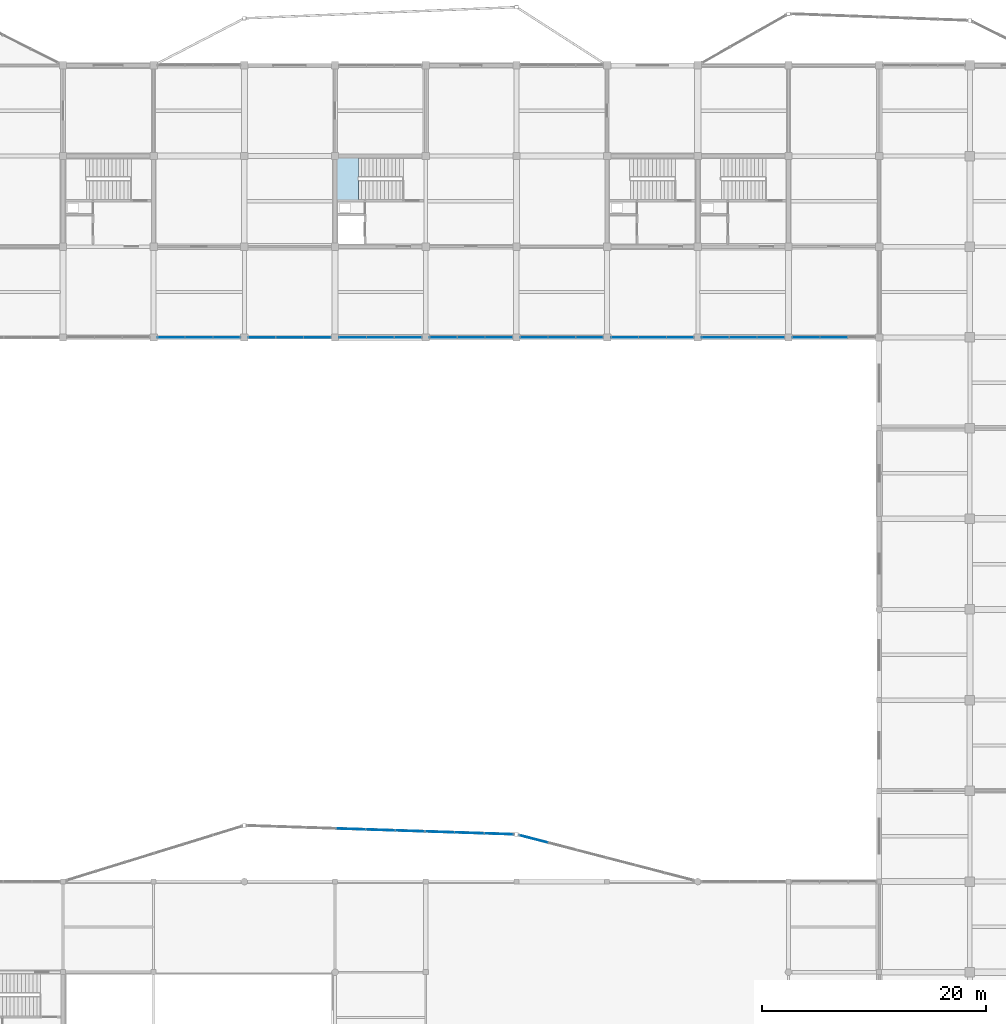
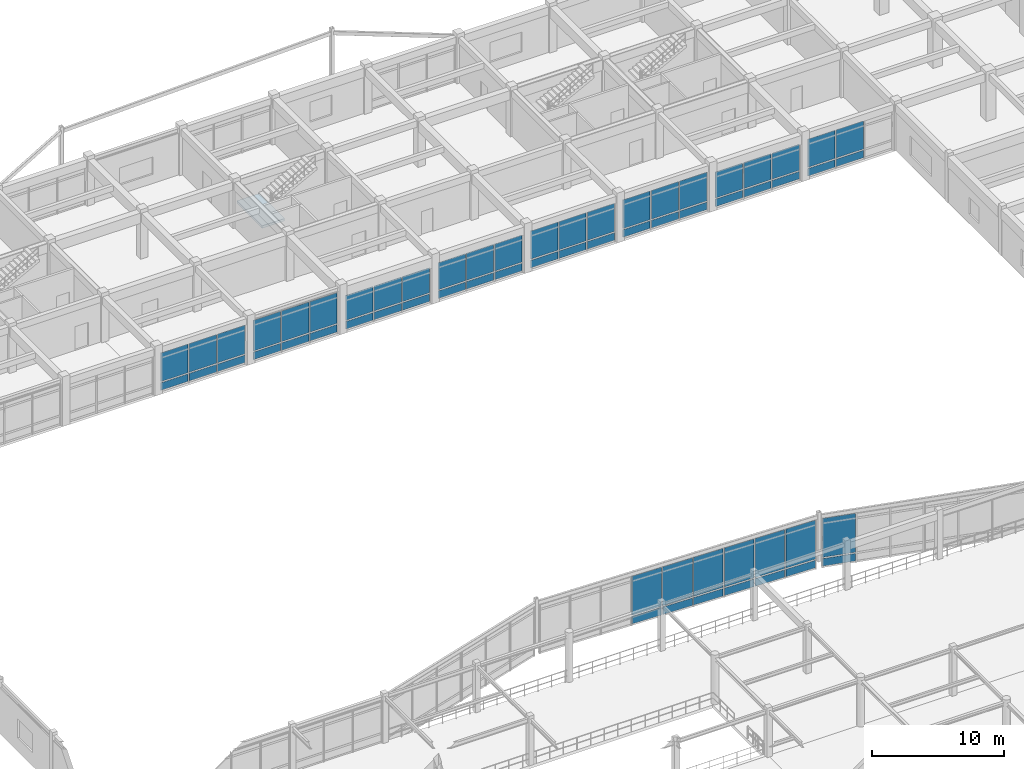
# One storey, part 53 of 93: 60 plates, 1 slab, 12 elements without a shape of their own.
"""IFC4 building model written with IfcOpenShell, lengths in metres."""

import ifcopenshell
import ifcopenshell.guid

model = None  # the IFC model being written
_history = None  # IfcOwnerHistory: only IFC2X3 demands one
_inside = {}  # id of a spatial element -> (the spatial element, [elements in it])
_under = {}  # id of a project, library or spatial element -> (it, [spatial elements below it])
_declared = {}  # id of a project -> (the project, [libraries it declares])
_typed = {}  # id of a type object -> (the type object, [elements of that type])
_made_of = {}  # id of a material, layer set ... -> (it, [elements and type objects made of it])


def new_model(schema):
    """Start an empty IFC model of exactly this schema.

    Asked for "IFC4X3", IfcOpenShell would pick the latest addendum, in which some entities
    have other attributes; the version numbers below select the first issue.
    IFC2X3 requires an IfcOwnerHistory on every rooted entity: one is made here for all.
    """
    global model, _history
    if schema == "IFC4X3":
        model = ifcopenshell.file(schema_version=(4, 3, 0, 0))
    else:
        model = ifcopenshell.file(schema=schema)
    _inside.clear()
    _under.clear()
    _declared.clear()
    _typed.clear()
    _made_of.clear()
    _history = None
    if model.schema == "IFC2X3":
        org = make("IfcOrganization", Name="unknown")
        user = make(
            "IfcPersonAndOrganization",
            ThePerson=make("IfcPerson", FamilyName="unknown"),
            TheOrganization=org,
        )
        app = make(
            "IfcApplication",
            ApplicationDeveloper=org,
            Version="unknown",
            ApplicationFullName="unknown",
            ApplicationIdentifier="unknown",
        )
        _history = make(
            "IfcOwnerHistory",
            OwningUser=user,
            OwningApplication=app,
            ChangeAction="ADDED",
            CreationDate=0,
        )
    return model


def make(cls, **values):
    """One entity of the class cls with the attributes given. An attribute that is None is left unset."""
    return model.create_entity(
        cls, **{name: value for name, value in values.items() if value is not None}
    )


def rooted(cls, **values):
    """An entity with a GlobalId (a new one), such as an element, a storey or a relation."""
    return make(cls, GlobalId=ifcopenshell.guid.new(), OwnerHistory=_history, **values)


def si_unit(unit_type, name, prefix=None):
    """IfcSIUnit, for example si_unit("LENGTHUNIT", "METRE", prefix="MILLI")."""
    return make("IfcSIUnit", UnitType=unit_type, Prefix=prefix, Name=name)


def assignment(units):
    """IfcUnitAssignment: the units of a project."""
    return None if units is None else make("IfcUnitAssignment", Units=units)


def point(xyz):
    """IfcCartesianPoint."""
    return None if xyz is None else make("IfcCartesianPoint", Coordinates=xyz)


def direction(xyz):
    """IfcDirection."""
    return None if xyz is None else make("IfcDirection", DirectionRatios=xyz)


def frame(location, z_axis=None, x_axis=None):
    """IfcAxis2Placement3D, a coordinate frame: its origin and axes. An axis left out is left unset."""
    return make(
        "IfcAxis2Placement3D",
        Location=point(location),
        Axis=direction(z_axis),
        RefDirection=direction(x_axis),
    )


def frame_2d(location, x_axis=None):
    """IfcAxis2Placement2D, a coordinate frame in the plane: its origin and x axis."""
    return make(
        "IfcAxis2Placement2D", Location=point(location), RefDirection=direction(x_axis)
    )


def origin():
    """The frame at (0, 0, 0) with its axes left unset."""
    return frame((0.0, 0.0, 0.0))


def origin_2d():
    """The frame at (0, 0) in the plane with its x axis left unset."""
    return frame_2d((0.0, 0.0))


def place(relative_to, where):
    """IfcLocalPlacement: puts the frame where relative to a parent placement (None: the world)."""
    return make(
        "IfcLocalPlacement", PlacementRelTo=relative_to, RelativePlacement=where
    )


def context(
    kind, dimensions, precision=None, world=None, true_north=None, identifier=None
):
    """IfcGeometricRepresentationContext, for example the 3D "Model" context."""
    return make(
        "IfcGeometricRepresentationContext",
        ContextIdentifier=identifier,
        ContextType=kind,
        CoordinateSpaceDimension=dimensions,
        Precision=precision,
        WorldCoordinateSystem=world,
        TrueNorth=true_north,
    )


def subcontext(parent, identifier, kind, view, scale=None):
    """IfcGeometricRepresentationSubContext, for example "Body" below "Model"."""
    return make(
        "IfcGeometricRepresentationSubContext",
        ContextIdentifier=identifier,
        ContextType=kind,
        ParentContext=parent,
        TargetScale=scale,
        TargetView=view,
    )


def project(units=None, contexts=None):
    """IfcProject with its units and contexts."""
    return rooted(
        "IfcProject",
        Name="project",
        RepresentationContexts=contexts,
        UnitsInContext=assignment(units),
    )


def spatial(cls, under=None, at=None, **own):
    """A site, building, storey or space (cls), placed at a placement, below another one or the project."""
    s = rooted(cls, ObjectPlacement=at, **own)
    if under is not None:
        _under.setdefault(under.id(), (under, []))[1].append(s)
    return s


def polyline(points):
    """IfcPolyline through the points."""
    return make("IfcPolyline", Points=[point(p) for p in points])


def profile(cls, at=None, kind="AREA", **sizes):
    """A parametric profile (cls). Its sizes go by their IFC names, for example OverallWidth=200.0."""
    return make(cls, ProfileType=kind, Position=at, **sizes)


def rectangle(**sizes):
    """IfcRectangleProfileDef."""
    return profile("IfcRectangleProfileDef", **sizes)


def outline(outer, holes=None, kind="AREA"):
    """IfcArbitraryClosedProfileDef: a profile drawn as a closed curve; with holes, ...WithVoids."""
    if holes is None:
        return make("IfcArbitraryClosedProfileDef", ProfileType=kind, OuterCurve=outer)
    return make(
        "IfcArbitraryProfileDefWithVoids",
        ProfileType=kind,
        OuterCurve=outer,
        InnerCurves=holes,
    )


def extrude(swept, where, along, depth):
    """IfcExtrudedAreaSolid: the profile swept, set in the frame where, extruded along a direction by depth."""
    return make(
        "IfcExtrudedAreaSolid",
        SweptArea=swept,
        Position=where,
        ExtrudedDirection=direction(along),
        Depth=depth,
    )


def shape(context_of_items, identifier, shape_type, items):
    """IfcShapeRepresentation: the items that make up one representation, for example the "Body"."""
    return make(
        "IfcShapeRepresentation",
        ContextOfItems=context_of_items,
        RepresentationIdentifier=identifier,
        RepresentationType=shape_type,
        Items=items,
    )


def material(Name=None, Category=None):
    """IfcMaterial."""
    return make("IfcMaterial", Name=Name, Category=Category)


def layer(
    of_material, thickness, ventilated=None, Name=None, Category=None, Priority=None
):
    """IfcMaterialLayer: one layer of a wall or slab, of a material (None: an air gap)."""
    return make(
        "IfcMaterialLayer",
        Material=of_material,
        LayerThickness=thickness,
        IsVentilated=ventilated,
        Name=Name,
        Category=Category,
        Priority=Priority,
    )


def layer_set(layers, Name=None):
    """IfcMaterialLayerSet."""
    return make("IfcMaterialLayerSet", MaterialLayers=layers, LayerSetName=Name)


def made_of(thing, what):
    """Note that an element or type object is made of a material, layer set ...; save() writes the relation."""
    if what is not None:
        _made_of.setdefault(what.id(), (what, []))[1].append(thing)
    return thing


def type_object(cls, material=None, **own):
    """A type object (cls), such as IfcWallType, which elements share."""
    return made_of(rooted(cls, **own), material)


def element(
    cls,
    number,
    at=None,
    inside=None,
    cuts=None,
    type_object=None,
    material=None,
    context=None,
    identifier="Body",
    shape_type=None,
    held_by="IfcProductDefinitionShape",
    body=None,
    shapes=None,
    **own,
):
    """One element of the class cls, such as IfcWall. Its Tag is "e" and its number.

    at: its placement. inside: the storey or other place that contains it. cuts: it is an
    opening in that element (IfcRelVoidsElement). A single representation is given by context,
    identifier, shape_type and body (its items); several are given by shapes. held_by: the class
    of the entity that holds the representations. save() writes the other relations.
    """
    e = rooted(cls, Tag="e%d" % number, ObjectPlacement=at, **own)
    if body is not None:
        shapes = [shape(context, identifier, shape_type, body)]
    if shapes is not None:
        e.Representation = make(held_by, Representations=shapes)
    if inside is not None:
        _inside.setdefault(inside.id(), (inside, []))[1].append(e)
    if cuts is not None:
        rooted(
            "IfcRelVoidsElement", RelatingBuildingElement=cuts, RelatedOpeningElement=e
        )
    if type_object is not None:
        _typed.setdefault(type_object.id(), (type_object, []))[1].append(e)
    return made_of(e, material)


def aggregate(whole, parts):
    """IfcRelAggregates: a whole, such as a stair, and the parts it consists of."""
    return rooted("IfcRelAggregates", RelatingObject=whole, RelatedObjects=parts)


def save(model, path):
    """Write the relations noted so far, then the file.

    IfcRelAggregates (storeys below a building ...), IfcRelContainedInSpatialStructure (elements
    in a storey), IfcRelDefinesByType, IfcRelAssociatesMaterial and IfcRelDeclares: one each for
    every whole, place, type object, material and project.
    """
    for whole, parts in _under.values():
        aggregate(whole, parts)
    for where, things in _inside.values():
        rooted(
            "IfcRelContainedInSpatialStructure",
            RelatedElements=things,
            RelatingStructure=where,
        )
    for kind, things in _typed.values():
        rooted("IfcRelDefinesByType", RelatedObjects=things, RelatingType=kind)
    for what, things in _made_of.values():
        rooted("IfcRelAssociatesMaterial", RelatedObjects=things, RelatingMaterial=what)
    for by, libraries in _declared.values():
        rooted("IfcRelDeclares", RelatingContext=by, RelatedDefinitions=libraries)
    model.write(path)


model = new_model("IFC4")

# Units and contexts
model_context = context("Model", 3, precision=1e-05, world=origin(), true_north=direction((0.0, 1.0)))
body_context = subcontext(model_context, "Body", "Model", "MODEL_VIEW")
ifc_project = project(units=[si_unit("LENGTHUNIT", "METRE"), si_unit("AREAUNIT", "SQUARE_METRE"), si_unit("VOLUMEUNIT", "CUBIC_METRE"), si_unit("PLANEANGLEUNIT", "RADIAN"), si_unit("MASSUNIT", "GRAM", prefix="KILO")], contexts=[model_context])

# Site, building, storey
site_placement = place(None, origin())
site = spatial("IfcSite", under=ifc_project, at=site_placement, CompositionType="ELEMENT")
building_placement = place(site_placement, origin())
building = spatial("IfcBuilding", under=site, at=building_placement, Name="Vaudrelin Polytechnic", CompositionType="ELEMENT")
storey_placement = place(building_placement, frame((0.0, 0.0, 5.10009765625)))
storey = spatial("IfcBuildingStorey", under=building, at=storey_placement, Name="L01", CompositionType="ELEMENT", Elevation=5.10009765625)

# Curtain wall, plates
ifc_material_1 = material(Name="Thermally broken anodised aluminium AA 6063-T6 and low-e triple glazing", Category="aluminium")
ifc_layer_1 = layer(ifc_material_1, 0.199951171875)
ifc_layer_set_1 = layer_set([ifc_layer_1], Name="Thermally broken anodised aluminium AA 6063-T6 and low-e triple glazing")
curtain_wall_type_1 = type_object("IfcCurtainWallType", Name="CW-CW-LIB", PredefinedType="USERDEFINED", material=ifc_layer_set_1)
curtain_wall_1_placement = place(storey_placement, origin())
curtain_wall_1 = element("IfcCurtainWall", 1, at=curtain_wall_1_placement, inside=storey, type_object=curtain_wall_type_1, Name="Curtain wall L01 CT_N_04", ObjectType="CURTAIN WALL", PredefinedType="USERDEFINED")
ifc_material_2 = material(Name="Insulated ceramic-frit spandrel glass panel", Category="glass")
ifc_layer_2 = layer(ifc_material_2, 0.052001953125)
ifc_layer_set_2 = layer_set([ifc_layer_2], Name="Insulated ceramic-frit spandrel glass panel")
plate_type_1 = type_object("IfcPlateType", Name="PLT-GLZ-SPAND", PredefinedType="CURTAIN_PANEL", material=ifc_layer_set_2)
plate_1_placement = place(storey_placement, frame((66.365234375, 97.199951171875, 0.08984375), z_axis=(0.0, 0.0, 1.0), x_axis=(1.0, 0.0, 0.0)))
plate_1 = element("IfcPlate", 2, at=plate_1_placement, type_object=plate_type_1, Name="CT_N_04 spandrel panel 1", PredefinedType="CURTAIN_PANEL", context=body_context, shape_type="SweptSolid", body=[
    extrude(rectangle(XDim=2.384765625, YDim=0.052001953125, at=origin_2d()), origin(), (0.0, 0.0, 1.0), 0.699951171875),
])
plate_2_placement = place(storey_placement, frame((68.85009765625, 97.199951171875, 0.08984375), z_axis=(0.0, 0.0, 1.0), x_axis=(1.0, 0.0, 0.0)))
plate_2 = element("IfcPlate", 3, at=plate_2_placement, type_object=plate_type_1, Name="CT_N_04 spandrel panel 2", PredefinedType="CURTAIN_PANEL", context=body_context, shape_type="SweptSolid", body=[
    extrude(rectangle(XDim=2.384765625, YDim=0.052001953125, at=origin_2d()), origin(), (0.0, 0.0, 1.0), 0.699951171875),
])
plate_3_placement = place(storey_placement, frame((71.334716796875, 97.199951171875, 0.08984375), z_axis=(0.0, 0.0, 1.0), x_axis=(1.0, 0.0, 0.0)))
plate_3 = element("IfcPlate", 4, at=plate_3_placement, type_object=plate_type_1, Name="CT_N_04 spandrel panel 3", PredefinedType="CURTAIN_PANEL", context=body_context, shape_type="SweptSolid", body=[
    extrude(rectangle(XDim=2.384765625, YDim=0.052001953125, at=origin_2d()), origin(), (0.0, 0.0, 1.0), 0.699951171875),
])

curtain_wall_2_placement = place(storey_placement, origin())
curtain_wall_2 = element("IfcCurtainWall", 5, at=curtain_wall_2_placement, inside=storey, type_object=curtain_wall_type_1, Name="Curtain wall L01 CT_N_05", ObjectType="CURTAIN WALL", PredefinedType="USERDEFINED")
plate_4_placement = place(storey_placement, frame((74.46533203125, 97.199951171875, 0.08984375), z_axis=(0.0, 0.0, 1.0), x_axis=(1.0, 0.0, 0.0)))
plate_4 = element("IfcPlate", 6, at=plate_4_placement, type_object=plate_type_1, Name="CT_N_05 spandrel panel 1", PredefinedType="CURTAIN_PANEL", context=body_context, shape_type="SweptSolid", body=[
    extrude(rectangle(XDim=2.384765625, YDim=0.052001953125, at=origin_2d()), origin(), (0.0, 0.0, 1.0), 0.699951171875),
])
plate_5_placement = place(storey_placement, frame((76.949951171875, 97.199951171875, 0.08984375), z_axis=(0.0, 0.0, 1.0), x_axis=(1.0, 0.0, 0.0)))
plate_5 = element("IfcPlate", 7, at=plate_5_placement, type_object=plate_type_1, Name="CT_N_05 spandrel panel 2", PredefinedType="CURTAIN_PANEL", context=body_context, shape_type="SweptSolid", body=[
    extrude(rectangle(XDim=2.384765625, YDim=0.052001953125, at=origin_2d()), origin(), (0.0, 0.0, 1.0), 0.699951171875),
])
plate_6_placement = place(storey_placement, frame((79.434814453125, 97.199951171875, 0.08984375), z_axis=(0.0, 0.0, 1.0), x_axis=(1.0, 0.0, 0.0)))
plate_6 = element("IfcPlate", 8, at=plate_6_placement, type_object=plate_type_1, Name="CT_N_05 spandrel panel 3", PredefinedType="CURTAIN_PANEL", context=body_context, shape_type="SweptSolid", body=[
    extrude(rectangle(XDim=2.384765625, YDim=0.052001953125, at=origin_2d()), origin(), (0.0, 0.0, 1.0), 0.699951171875),
])

curtain_wall_3_placement = place(storey_placement, origin())
curtain_wall_3 = element("IfcCurtainWall", 9, at=curtain_wall_3_placement, inside=storey, type_object=curtain_wall_type_1, Name="Curtain wall L01 CT_N_06", ObjectType="CURTAIN WALL", PredefinedType="USERDEFINED")
plate_7_placement = place(storey_placement, frame((82.565185546875, 97.199951171875, 0.08984375), z_axis=(0.0, 0.0, 1.0), x_axis=(1.0, 0.0, 0.0)))
plate_7 = element("IfcPlate", 10, at=plate_7_placement, type_object=plate_type_1, Name="CT_N_06 spandrel panel 1", PredefinedType="CURTAIN_PANEL", context=body_context, shape_type="SweptSolid", body=[
    extrude(rectangle(XDim=2.384765625, YDim=0.052001953125, at=origin_2d()), origin(), (0.0, 0.0, 1.0), 0.699951171875),
])
plate_8_placement = place(storey_placement, frame((85.050048828125, 97.199951171875, 0.08984375), z_axis=(0.0, 0.0, 1.0), x_axis=(1.0, 0.0, 0.0)))
plate_8 = element("IfcPlate", 11, at=plate_8_placement, type_object=plate_type_1, Name="CT_N_06 spandrel panel 2", PredefinedType="CURTAIN_PANEL", context=body_context, shape_type="SweptSolid", body=[
    extrude(rectangle(XDim=2.384765625, YDim=0.052001953125, at=origin_2d()), origin(), (0.0, 0.0, 1.0), 0.699951171875),
])
plate_9_placement = place(storey_placement, frame((87.53466796875, 97.199951171875, 0.08984375), z_axis=(0.0, 0.0, 1.0), x_axis=(1.0, 0.0, 0.0)))
plate_9 = element("IfcPlate", 12, at=plate_9_placement, type_object=plate_type_1, Name="CT_N_06 spandrel panel 3", PredefinedType="CURTAIN_PANEL", context=body_context, shape_type="SweptSolid", body=[
    extrude(rectangle(XDim=2.384765625, YDim=0.052001953125, at=origin_2d()), origin(), (0.0, 0.0, 1.0), 0.699951171875),
])

curtain_wall_4_placement = place(storey_placement, origin())
curtain_wall_4 = element("IfcCurtainWall", 13, at=curtain_wall_4_placement, inside=storey, type_object=curtain_wall_type_1, Name="Curtain wall L01 CT_N_07", ObjectType="CURTAIN WALL", PredefinedType="USERDEFINED")
plate_10_placement = place(storey_placement, frame((90.665283203125, 97.199951171875, 0.08984375), z_axis=(0.0, 0.0, 1.0), x_axis=(1.0, 0.0, 0.0)))
plate_10 = element("IfcPlate", 14, at=plate_10_placement, type_object=plate_type_1, Name="CT_N_07 spandrel panel 1", PredefinedType="CURTAIN_PANEL", context=body_context, shape_type="SweptSolid", body=[
    extrude(rectangle(XDim=2.384765625, YDim=0.052001953125, at=origin_2d()), origin(), (0.0, 0.0, 1.0), 0.699951171875),
])
plate_11_placement = place(storey_placement, frame((93.14990234375, 97.199951171875, 0.08984375), z_axis=(0.0, 0.0, 1.0), x_axis=(1.0, 0.0, 0.0)))
plate_11 = element("IfcPlate", 15, at=plate_11_placement, type_object=plate_type_1, Name="CT_N_07 spandrel panel 2", PredefinedType="CURTAIN_PANEL", context=body_context, shape_type="SweptSolid", body=[
    extrude(rectangle(XDim=2.384765625, YDim=0.052001953125, at=origin_2d()), origin(), (0.0, 0.0, 1.0), 0.699951171875),
])
plate_12_placement = place(storey_placement, frame((95.634765625, 97.199951171875, 0.08984375), z_axis=(0.0, 0.0, 1.0), x_axis=(1.0, 0.0, 0.0)))
plate_12 = element("IfcPlate", 16, at=plate_12_placement, type_object=plate_type_1, Name="CT_N_07 spandrel panel 3", PredefinedType="CURTAIN_PANEL", context=body_context, shape_type="SweptSolid", body=[
    extrude(rectangle(XDim=2.384765625, YDim=0.052001953125, at=origin_2d()), origin(), (0.0, 0.0, 1.0), 0.699951171875),
])

curtain_wall_5_placement = place(storey_placement, origin())
curtain_wall_5 = element("IfcCurtainWall", 17, at=curtain_wall_5_placement, inside=storey, type_object=curtain_wall_type_1, Name="Curtain wall L01 CT_N_08", ObjectType="CURTAIN WALL", PredefinedType="USERDEFINED")
plate_13_placement = place(storey_placement, frame((98.765380859375, 97.199951171875, 0.08984375), z_axis=(0.0, 0.0, 1.0), x_axis=(1.0, 0.0, 0.0)))
plate_13 = element("IfcPlate", 18, at=plate_13_placement, type_object=plate_type_1, Name="CT_N_08 spandrel panel 1", PredefinedType="CURTAIN_PANEL", context=body_context, shape_type="SweptSolid", body=[
    extrude(rectangle(XDim=2.384765625, YDim=0.052001953125, at=origin_2d()), origin(), (0.0, 0.0, 1.0), 0.699951171875),
])
plate_14_placement = place(storey_placement, frame((101.25, 97.199951171875, 0.08984375), z_axis=(0.0, 0.0, 1.0), x_axis=(1.0, 0.0, 0.0)))
plate_14 = element("IfcPlate", 19, at=plate_14_placement, type_object=plate_type_1, Name="CT_N_08 spandrel panel 2", PredefinedType="CURTAIN_PANEL", context=body_context, shape_type="SweptSolid", body=[
    extrude(rectangle(XDim=2.384765625, YDim=0.052001953125, at=origin_2d()), origin(), (0.0, 0.0, 1.0), 0.699951171875),
])
plate_15_placement = place(storey_placement, frame((103.734619140625, 97.199951171875, 0.08984375), z_axis=(0.0, 0.0, 1.0), x_axis=(1.0, 0.0, 0.0)))
plate_15 = element("IfcPlate", 20, at=plate_15_placement, type_object=plate_type_1, Name="CT_N_08 spandrel panel 3", PredefinedType="CURTAIN_PANEL", context=body_context, shape_type="SweptSolid", body=[
    extrude(rectangle(XDim=2.384765625, YDim=0.052001953125, at=origin_2d()), origin(), (0.0, 0.0, 1.0), 0.699951171875),
])

curtain_wall_6_placement = place(storey_placement, origin())
curtain_wall_6 = element("IfcCurtainWall", 21, at=curtain_wall_6_placement, inside=storey, type_object=curtain_wall_type_1, Name="Curtain wall L01 CT_N_09", ObjectType="CURTAIN WALL", PredefinedType="USERDEFINED")
plate_16_placement = place(storey_placement, frame((106.865234375, 97.199951171875, 0.08984375), z_axis=(0.0, 0.0, 1.0), x_axis=(1.0, 0.0, 0.0)))
plate_16 = element("IfcPlate", 22, at=plate_16_placement, type_object=plate_type_1, Name="CT_N_09 spandrel panel 1", PredefinedType="CURTAIN_PANEL", context=body_context, shape_type="SweptSolid", body=[
    extrude(rectangle(XDim=2.384765625, YDim=0.052001953125, at=origin_2d()), origin(), (0.0, 0.0, 1.0), 0.699951171875),
])
plate_17_placement = place(storey_placement, frame((109.35009765625, 97.199951171875, 0.08984375), z_axis=(0.0, 0.0, 1.0), x_axis=(1.0, 0.0, 0.0)))
plate_17 = element("IfcPlate", 23, at=plate_17_placement, type_object=plate_type_1, Name="CT_N_09 spandrel panel 2", PredefinedType="CURTAIN_PANEL", context=body_context, shape_type="SweptSolid", body=[
    extrude(rectangle(XDim=2.384765625, YDim=0.052001953125, at=origin_2d()), origin(), (0.0, 0.0, 1.0), 0.699951171875),
])
plate_18_placement = place(storey_placement, frame((111.834716796875, 97.199951171875, 0.08984375), z_axis=(0.0, 0.0, 1.0), x_axis=(1.0, 0.0, 0.0)))
plate_18 = element("IfcPlate", 24, at=plate_18_placement, type_object=plate_type_1, Name="CT_N_09 spandrel panel 3", PredefinedType="CURTAIN_PANEL", context=body_context, shape_type="SweptSolid", body=[
    extrude(rectangle(XDim=2.384765625, YDim=0.052001953125, at=origin_2d()), origin(), (0.0, 0.0, 1.0), 0.699951171875),
])

curtain_wall_7_placement = place(storey_placement, origin())
curtain_wall_7 = element("IfcCurtainWall", 25, at=curtain_wall_7_placement, inside=storey, type_object=curtain_wall_type_1, Name="Curtain wall L01 CT_N_10", ObjectType="CURTAIN WALL", PredefinedType="USERDEFINED")
plate_19_placement = place(storey_placement, frame((114.96533203125, 97.199951171875, 0.08984375), z_axis=(0.0, 0.0, 1.0), x_axis=(1.0, 0.0, 0.0)))
plate_19 = element("IfcPlate", 26, at=plate_19_placement, type_object=plate_type_1, Name="CT_N_10 spandrel panel 1", PredefinedType="CURTAIN_PANEL", context=body_context, shape_type="SweptSolid", body=[
    extrude(rectangle(XDim=2.384765625, YDim=0.052001953125, at=origin_2d()), origin(), (0.0, 0.0, 1.0), 0.699951171875),
])
plate_20_placement = place(storey_placement, frame((117.449951171875, 97.199951171875, 0.08984375), z_axis=(0.0, 0.0, 1.0), x_axis=(1.0, 0.0, 0.0)))
plate_20 = element("IfcPlate", 27, at=plate_20_placement, type_object=plate_type_1, Name="CT_N_10 spandrel panel 2", PredefinedType="CURTAIN_PANEL", context=body_context, shape_type="SweptSolid", body=[
    extrude(rectangle(XDim=2.384765625, YDim=0.052001953125, at=origin_2d()), origin(), (0.0, 0.0, 1.0), 0.699951171875),
])
plate_21_placement = place(storey_placement, frame((119.934814453125, 97.199951171875, 0.08984375), z_axis=(0.0, 0.0, 1.0), x_axis=(1.0, 0.0, 0.0)))
plate_21 = element("IfcPlate", 28, at=plate_21_placement, type_object=plate_type_1, Name="CT_N_10 spandrel panel 3", PredefinedType="CURTAIN_PANEL", context=body_context, shape_type="SweptSolid", body=[
    extrude(rectangle(XDim=2.384765625, YDim=0.052001953125, at=origin_2d()), origin(), (0.0, 0.0, 1.0), 0.699951171875),
])

curtain_wall_8_placement = place(storey_placement, origin())
curtain_wall_8 = element("IfcCurtainWall", 29, at=curtain_wall_8_placement, inside=storey, type_object=curtain_wall_type_1, Name="Curtain wall L01 CT_N_11", ObjectType="CURTAIN WALL", PredefinedType="USERDEFINED")
plate_22_placement = place(storey_placement, frame((123.065185546875, 97.199951171875, 0.08984375), z_axis=(0.0, 0.0, 1.0), x_axis=(1.0, 0.0, 0.0)))
plate_22 = element("IfcPlate", 30, at=plate_22_placement, type_object=plate_type_1, Name="CT_N_11 spandrel panel 1", PredefinedType="CURTAIN_PANEL", context=body_context, shape_type="SweptSolid", body=[
    extrude(rectangle(XDim=2.384765625, YDim=0.052001953125, at=origin_2d()), origin(), (0.0, 0.0, 1.0), 0.699951171875),
])
plate_23_placement = place(storey_placement, frame((125.550048828125, 97.199951171875, 0.08984375), z_axis=(0.0, 0.0, 1.0), x_axis=(1.0, 0.0, 0.0)))
plate_23 = element("IfcPlate", 31, at=plate_23_placement, type_object=plate_type_1, Name="CT_N_11 spandrel panel 2", PredefinedType="CURTAIN_PANEL", context=body_context, shape_type="SweptSolid", body=[
    extrude(rectangle(XDim=2.384765625, YDim=0.052001953125, at=origin_2d()), origin(), (0.0, 0.0, 1.0), 0.699951171875),
])

ifc_layer_3 = layer(ifc_material_1, 0.199951171875)
ifc_layer_set_3 = layer_set([ifc_layer_3], Name="Thermally broken anodised aluminium AA 6063-T6 and low-e triple glazing")
curtain_wall_type_2 = type_object("IfcCurtainWallType", Name="CW-CW-WG", PredefinedType="USERDEFINED", material=ifc_layer_set_3)
curtain_wall_9_placement = place(storey_placement, origin())
curtain_wall_9 = element("IfcCurtainWall", 32, at=curtain_wall_9_placement, inside=storey, type_object=curtain_wall_type_2, Name="Curtain wall L01 CT_OR1_2_1", ObjectType="CURTAIN WALL", PredefinedType="USERDEFINED")
plate_24_placement = place(storey_placement, frame((82.40283203125, 53.287109375, -0.5400390625), z_axis=(0.0, 0.0, 1.0), x_axis=(0.999458731894, -0.032897465558, 0.0)))
plate_24 = element("IfcPlate", 33, at=plate_24_placement, type_object=plate_type_1, Name="CT_OR1_2_1 spandrel panel 1", PredefinedType="CURTAIN_PANEL", context=body_context, shape_type="SweptSolid", body=[
    extrude(rectangle(XDim=2.548583984375, YDim=0.052001953125, at=origin_2d()), origin(), (0.0, 0.0, 1.0), 0.699951171875),
])
plate_25_placement = place(storey_placement, frame((85.050048828125, 53.199951171875, -0.5400390625), z_axis=(0.0, 0.0, 1.0), x_axis=(0.999458731894, -0.032897465558, 0.0)))
plate_25 = element("IfcPlate", 34, at=plate_25_placement, type_object=plate_type_1, Name="CT_OR1_2_1 spandrel panel 2", PredefinedType="CURTAIN_PANEL", context=body_context, shape_type="SweptSolid", body=[
    extrude(rectangle(XDim=2.548583984375, YDim=0.052001953125, at=origin_2d()), origin(), (0.0, 0.0, 1.0), 0.699951171875),
])
plate_26_placement = place(storey_placement, frame((87.697265625, 53.11279296875, -0.5400390625), z_axis=(0.0, 0.0, 1.0), x_axis=(0.999458731894, -0.032897465558, 0.0)))
plate_26 = element("IfcPlate", 35, at=plate_26_placement, type_object=plate_type_1, Name="CT_OR1_2_1 spandrel panel 3", PredefinedType="CURTAIN_PANEL", context=body_context, shape_type="SweptSolid", body=[
    extrude(rectangle(XDim=2.548583984375, YDim=0.052001953125, at=origin_2d()), origin(), (0.0, 0.0, 1.0), 0.699951171875),
])

curtain_wall_10_placement = place(storey_placement, origin())
curtain_wall_10 = element("IfcCurtainWall", 36, at=curtain_wall_10_placement, inside=storey, type_object=curtain_wall_type_2, Name="Curtain wall L01 CT_OR1_2_2", ObjectType="CURTAIN WALL", PredefinedType="USERDEFINED")
plate_27_placement = place(storey_placement, frame((90.344482421875, 53.025634765625, -0.5400390625), z_axis=(0.0, 0.0, 1.0), x_axis=(0.999458331652, -0.032909623096, 0.0)))
plate_27 = element("IfcPlate", 37, at=plate_27_placement, type_object=plate_type_1, Name="CT_OR1_2_2 spandrel panel 1", PredefinedType="CURTAIN_PANEL", context=body_context, shape_type="SweptSolid", body=[
    extrude(rectangle(XDim=2.548583984375, YDim=0.052001953125, at=origin_2d()), origin(), (0.0, 0.0, 1.0), 0.699951171875),
])
plate_28_placement = place(storey_placement, frame((92.99169921875, 52.9384765625, -0.5400390625), z_axis=(0.0, 0.0, 1.0), x_axis=(0.999458331652, -0.032909623096, 0.0)))
plate_28 = element("IfcPlate", 38, at=plate_28_placement, type_object=plate_type_1, Name="CT_OR1_2_2 spandrel panel 2", PredefinedType="CURTAIN_PANEL", context=body_context, shape_type="SweptSolid", body=[
    extrude(rectangle(XDim=2.548583984375, YDim=0.052001953125, at=origin_2d()), origin(), (0.0, 0.0, 1.0), 0.699951171875),
])
plate_29_placement = place(storey_placement, frame((95.638916015625, 52.851318359375, -0.5400390625), z_axis=(0.0, 0.0, 1.0), x_axis=(0.999458331652, -0.032909623096, 0.0)))
plate_29 = element("IfcPlate", 39, at=plate_29_placement, type_object=plate_type_1, Name="CT_OR1_2_2 spandrel panel 3", PredefinedType="CURTAIN_PANEL", context=body_context, shape_type="SweptSolid", body=[
    extrude(rectangle(XDim=2.548583984375, YDim=0.052001953125, at=origin_2d()), origin(), (0.0, 0.0, 1.0), 0.699951171875),
])

# Curtain wall, plate
curtain_wall_11_placement = place(storey_placement, origin())
curtain_wall_11 = element("IfcCurtainWall", 40, at=curtain_wall_11_placement, inside=storey, type_object=curtain_wall_type_2, Name="Curtain wall L01 CT_OR1_3_0", ObjectType="CURTAIN WALL", PredefinedType="USERDEFINED")
plate_30_placement = place(storey_placement, frame((98.7333984375, 52.40234375, -0.5400390625), z_axis=(0.0, 0.0, 1.0), x_axis=(0.967996674598, -0.250963021115, 0.0)))
plate_30 = element("IfcPlate", 41, at=plate_30_placement, type_object=plate_type_1, Name="CT_OR1_3_0 spandrel panel 1", PredefinedType="CURTAIN_PANEL", context=body_context, shape_type="SweptSolid", body=[
    extrude(rectangle(XDim=2.5830078125, YDim=0.052001953125, at=origin_2d()), origin(), (0.0, 0.0, 1.0), 0.699951171875),
])

# Plate
ifc_material_3 = material(Name="Triple low-e argon insulated glazing unit", Category="glass")
ifc_layer_4 = layer(ifc_material_3, 0.0439453125)
ifc_layer_set_4 = layer_set([ifc_layer_4], Name="Triple low-e argon insulated glazing unit")
plate_type_2 = type_object("IfcPlateType", Name="PLT-GLZ-TRIPLE", PredefinedType="CURTAIN_PANEL", material=ifc_layer_set_4)
plate_31_placement = place(storey_placement, frame((66.365234375, 97.199951171875, 0.89990234375), z_axis=(0.0, 0.0, 1.0), x_axis=(1.0, 0.0, 0.0)))
plate_31 = element("IfcPlate", 42, at=plate_31_placement, type_object=plate_type_2, Name="CT_N_04 vision panel 1", PredefinedType="CURTAIN_PANEL", context=body_context, shape_type="SweptSolid", body=[
    extrude(rectangle(XDim=2.384765625, YDim=0.0439453125, at=origin_2d()), origin(), (0.0, 0.0, 1.0), 2.652099609375),
])

plate_32_placement = place(storey_placement, frame((68.85009765625, 97.199951171875, 0.89990234375), z_axis=(0.0, 0.0, 1.0), x_axis=(1.0, 0.0, 0.0)))
plate_32 = element("IfcPlate", 43, at=plate_32_placement, type_object=plate_type_2, Name="CT_N_04 vision panel 2", PredefinedType="CURTAIN_PANEL", context=body_context, shape_type="SweptSolid", body=[
    extrude(rectangle(XDim=2.384765625, YDim=0.0439453125, at=origin_2d()), origin(), (0.0, 0.0, 1.0), 2.652099609375),
])

plate_33_placement = place(storey_placement, frame((71.334716796875, 97.199951171875, 0.89990234375), z_axis=(0.0, 0.0, 1.0), x_axis=(1.0, 0.0, 0.0)))
plate_33 = element("IfcPlate", 44, at=plate_33_placement, type_object=plate_type_2, Name="CT_N_04 vision panel 3", PredefinedType="CURTAIN_PANEL", context=body_context, shape_type="SweptSolid", body=[
    extrude(rectangle(XDim=2.384765625, YDim=0.0439453125, at=origin_2d()), origin(), (0.0, 0.0, 1.0), 2.652099609375),
])

aggregate(curtain_wall_1, [plate_1, plate_31, plate_2, plate_32, plate_3, plate_33])

plate_34_placement = place(storey_placement, frame((74.46533203125, 97.199951171875, 0.89990234375), z_axis=(0.0, 0.0, 1.0), x_axis=(1.0, 0.0, 0.0)))
plate_34 = element("IfcPlate", 45, at=plate_34_placement, type_object=plate_type_2, Name="CT_N_05 vision panel 1", PredefinedType="CURTAIN_PANEL", context=body_context, shape_type="SweptSolid", body=[
    extrude(rectangle(XDim=2.384765625, YDim=0.0439453125, at=origin_2d()), origin(), (0.0, 0.0, 1.0), 2.8369140625),
])

plate_35_placement = place(storey_placement, frame((76.949951171875, 97.199951171875, 0.89990234375), z_axis=(0.0, 0.0, 1.0), x_axis=(1.0, 0.0, 0.0)))
plate_35 = element("IfcPlate", 46, at=plate_35_placement, type_object=plate_type_2, Name="CT_N_05 vision panel 2", PredefinedType="CURTAIN_PANEL", context=body_context, shape_type="SweptSolid", body=[
    extrude(rectangle(XDim=2.384765625, YDim=0.0439453125, at=origin_2d()), origin(), (0.0, 0.0, 1.0), 2.8369140625),
])

plate_36_placement = place(storey_placement, frame((79.434814453125, 97.199951171875, 0.89990234375), z_axis=(0.0, 0.0, 1.0), x_axis=(1.0, 0.0, 0.0)))
plate_36 = element("IfcPlate", 47, at=plate_36_placement, type_object=plate_type_2, Name="CT_N_05 vision panel 3", PredefinedType="CURTAIN_PANEL", context=body_context, shape_type="SweptSolid", body=[
    extrude(rectangle(XDim=2.384765625, YDim=0.0439453125, at=origin_2d()), origin(), (0.0, 0.0, 1.0), 2.8369140625),
])

aggregate(curtain_wall_2, [plate_4, plate_34, plate_5, plate_35, plate_6, plate_36])

plate_37_placement = place(storey_placement, frame((82.565185546875, 97.199951171875, 0.89990234375), z_axis=(0.0, 0.0, 1.0), x_axis=(1.0, 0.0, 0.0)))
plate_37 = element("IfcPlate", 48, at=plate_37_placement, type_object=plate_type_2, Name="CT_N_06 vision panel 1", PredefinedType="CURTAIN_PANEL", context=body_context, shape_type="SweptSolid", body=[
    extrude(rectangle(XDim=2.384765625, YDim=0.0439453125, at=origin_2d()), origin(), (0.0, 0.0, 1.0), 2.302001953125),
])

plate_38_placement = place(storey_placement, frame((85.050048828125, 97.199951171875, 0.89990234375), z_axis=(0.0, 0.0, 1.0), x_axis=(1.0, 0.0, 0.0)))
plate_38 = element("IfcPlate", 49, at=plate_38_placement, type_object=plate_type_2, Name="CT_N_06 vision panel 2", PredefinedType="CURTAIN_PANEL", context=body_context, shape_type="SweptSolid", body=[
    extrude(rectangle(XDim=2.384765625, YDim=0.0439453125, at=origin_2d()), origin(), (0.0, 0.0, 1.0), 2.302001953125),
])

plate_39_placement = place(storey_placement, frame((87.53466796875, 97.199951171875, 0.89990234375), z_axis=(0.0, 0.0, 1.0), x_axis=(1.0, 0.0, 0.0)))
plate_39 = element("IfcPlate", 50, at=plate_39_placement, type_object=plate_type_2, Name="CT_N_06 vision panel 3", PredefinedType="CURTAIN_PANEL", context=body_context, shape_type="SweptSolid", body=[
    extrude(rectangle(XDim=2.384765625, YDim=0.0439453125, at=origin_2d()), origin(), (0.0, 0.0, 1.0), 2.302001953125),
])

aggregate(curtain_wall_3, [plate_7, plate_37, plate_8, plate_38, plate_9, plate_39])

plate_40_placement = place(storey_placement, frame((90.665283203125, 97.199951171875, 0.89990234375), z_axis=(0.0, 0.0, 1.0), x_axis=(1.0, 0.0, 0.0)))
plate_40 = element("IfcPlate", 51, at=plate_40_placement, type_object=plate_type_2, Name="CT_N_07 vision panel 1", PredefinedType="CURTAIN_PANEL", context=body_context, shape_type="SweptSolid", body=[
    extrude(rectangle(XDim=2.384765625, YDim=0.0439453125, at=origin_2d()), origin(), (0.0, 0.0, 1.0), 2.501953125),
])

plate_41_placement = place(storey_placement, frame((93.14990234375, 97.199951171875, 0.89990234375), z_axis=(0.0, 0.0, 1.0), x_axis=(1.0, 0.0, 0.0)))
plate_41 = element("IfcPlate", 52, at=plate_41_placement, type_object=plate_type_2, Name="CT_N_07 vision panel 2", PredefinedType="CURTAIN_PANEL", context=body_context, shape_type="SweptSolid", body=[
    extrude(rectangle(XDim=2.384765625, YDim=0.0439453125, at=origin_2d()), origin(), (0.0, 0.0, 1.0), 2.501953125),
])

plate_42_placement = place(storey_placement, frame((95.634765625, 97.199951171875, 0.89990234375), z_axis=(0.0, 0.0, 1.0), x_axis=(1.0, 0.0, 0.0)))
plate_42 = element("IfcPlate", 53, at=plate_42_placement, type_object=plate_type_2, Name="CT_N_07 vision panel 3", PredefinedType="CURTAIN_PANEL", context=body_context, shape_type="SweptSolid", body=[
    extrude(rectangle(XDim=2.384765625, YDim=0.0439453125, at=origin_2d()), origin(), (0.0, 0.0, 1.0), 2.501953125),
])

aggregate(curtain_wall_4, [plate_10, plate_40, plate_11, plate_41, plate_12, plate_42])

plate_43_placement = place(storey_placement, frame((98.765380859375, 97.199951171875, 0.89990234375), z_axis=(0.0, 0.0, 1.0), x_axis=(1.0, 0.0, 0.0)))
plate_43 = element("IfcPlate", 54, at=plate_43_placement, type_object=plate_type_2, Name="CT_N_08 vision panel 1", PredefinedType="CURTAIN_PANEL", context=body_context, shape_type="SweptSolid", body=[
    extrude(rectangle(XDim=2.384765625, YDim=0.0439453125, at=origin_2d()), origin(), (0.0, 0.0, 1.0), 2.60205078125),
])

plate_44_placement = place(storey_placement, frame((101.25, 97.199951171875, 0.89990234375), z_axis=(0.0, 0.0, 1.0), x_axis=(1.0, 0.0, 0.0)))
plate_44 = element("IfcPlate", 55, at=plate_44_placement, type_object=plate_type_2, Name="CT_N_08 vision panel 2", PredefinedType="CURTAIN_PANEL", context=body_context, shape_type="SweptSolid", body=[
    extrude(rectangle(XDim=2.384765625, YDim=0.0439453125, at=origin_2d()), origin(), (0.0, 0.0, 1.0), 2.60205078125),
])

plate_45_placement = place(storey_placement, frame((103.734619140625, 97.199951171875, 0.89990234375), z_axis=(0.0, 0.0, 1.0), x_axis=(1.0, 0.0, 0.0)))
plate_45 = element("IfcPlate", 56, at=plate_45_placement, type_object=plate_type_2, Name="CT_N_08 vision panel 3", PredefinedType="CURTAIN_PANEL", context=body_context, shape_type="SweptSolid", body=[
    extrude(rectangle(XDim=2.384765625, YDim=0.0439453125, at=origin_2d()), origin(), (0.0, 0.0, 1.0), 2.60205078125),
])

aggregate(curtain_wall_5, [plate_13, plate_43, plate_14, plate_44, plate_15, plate_45])

plate_46_placement = place(storey_placement, frame((106.865234375, 97.199951171875, 0.89990234375), z_axis=(0.0, 0.0, 1.0), x_axis=(1.0, 0.0, 0.0)))
plate_46 = element("IfcPlate", 57, at=plate_46_placement, type_object=plate_type_2, Name="CT_N_09 vision panel 1", PredefinedType="CURTAIN_PANEL", context=body_context, shape_type="SweptSolid", body=[
    extrude(rectangle(XDim=2.384765625, YDim=0.0439453125, at=origin_2d()), origin(), (0.0, 0.0, 1.0), 2.652099609375),
])

plate_47_placement = place(storey_placement, frame((109.35009765625, 97.199951171875, 0.89990234375), z_axis=(0.0, 0.0, 1.0), x_axis=(1.0, 0.0, 0.0)))
plate_47 = element("IfcPlate", 58, at=plate_47_placement, type_object=plate_type_2, Name="CT_N_09 vision panel 2", PredefinedType="CURTAIN_PANEL", context=body_context, shape_type="SweptSolid", body=[
    extrude(rectangle(XDim=2.384765625, YDim=0.0439453125, at=origin_2d()), origin(), (0.0, 0.0, 1.0), 2.652099609375),
])

plate_48_placement = place(storey_placement, frame((111.834716796875, 97.199951171875, 0.89990234375), z_axis=(0.0, 0.0, 1.0), x_axis=(1.0, 0.0, 0.0)))
plate_48 = element("IfcPlate", 59, at=plate_48_placement, type_object=plate_type_2, Name="CT_N_09 vision panel 3", PredefinedType="CURTAIN_PANEL", context=body_context, shape_type="SweptSolid", body=[
    extrude(rectangle(XDim=2.384765625, YDim=0.0439453125, at=origin_2d()), origin(), (0.0, 0.0, 1.0), 2.652099609375),
])

aggregate(curtain_wall_6, [plate_16, plate_46, plate_17, plate_47, plate_18, plate_48])

plate_49_placement = place(storey_placement, frame((114.96533203125, 97.199951171875, 0.89990234375), z_axis=(0.0, 0.0, 1.0), x_axis=(1.0, 0.0, 0.0)))
plate_49 = element("IfcPlate", 60, at=plate_49_placement, type_object=plate_type_2, Name="CT_N_10 vision panel 1", PredefinedType="CURTAIN_PANEL", context=body_context, shape_type="SweptSolid", body=[
    extrude(rectangle(XDim=2.384765625, YDim=0.0439453125, at=origin_2d()), origin(), (0.0, 0.0, 1.0), 2.402099609375),
])

plate_50_placement = place(storey_placement, frame((117.449951171875, 97.199951171875, 0.89990234375), z_axis=(0.0, 0.0, 1.0), x_axis=(1.0, 0.0, 0.0)))
plate_50 = element("IfcPlate", 61, at=plate_50_placement, type_object=plate_type_2, Name="CT_N_10 vision panel 2", PredefinedType="CURTAIN_PANEL", context=body_context, shape_type="SweptSolid", body=[
    extrude(rectangle(XDim=2.384765625, YDim=0.0439453125, at=origin_2d()), origin(), (0.0, 0.0, 1.0), 2.402099609375),
])

plate_51_placement = place(storey_placement, frame((119.934814453125, 97.199951171875, 0.89990234375), z_axis=(0.0, 0.0, 1.0), x_axis=(1.0, 0.0, 0.0)))
plate_51 = element("IfcPlate", 62, at=plate_51_placement, type_object=plate_type_2, Name="CT_N_10 vision panel 3", PredefinedType="CURTAIN_PANEL", context=body_context, shape_type="SweptSolid", body=[
    extrude(rectangle(XDim=2.384765625, YDim=0.0439453125, at=origin_2d()), origin(), (0.0, 0.0, 1.0), 2.402099609375),
])

aggregate(curtain_wall_7, [plate_19, plate_49, plate_20, plate_50, plate_21, plate_51])

plate_52_placement = place(storey_placement, frame((123.065185546875, 97.199951171875, 0.89990234375), z_axis=(0.0, 0.0, 1.0), x_axis=(1.0, 0.0, 0.0)))
plate_52 = element("IfcPlate", 63, at=plate_52_placement, type_object=plate_type_2, Name="CT_N_11 vision panel 1", PredefinedType="CURTAIN_PANEL", context=body_context, shape_type="SweptSolid", body=[
    extrude(rectangle(XDim=2.384765625, YDim=0.0439453125, at=origin_2d()), origin(), (0.0, 0.0, 1.0), 2.60205078125),
])

plate_53_placement = place(storey_placement, frame((125.550048828125, 97.199951171875, 0.89990234375), z_axis=(0.0, 0.0, 1.0), x_axis=(1.0, 0.0, 0.0)))
plate_53 = element("IfcPlate", 64, at=plate_53_placement, type_object=plate_type_2, Name="CT_N_11 vision panel 2", PredefinedType="CURTAIN_PANEL", context=body_context, shape_type="SweptSolid", body=[
    extrude(rectangle(XDim=2.384765625, YDim=0.0439453125, at=origin_2d()), origin(), (0.0, 0.0, 1.0), 2.60205078125),
])

aggregate(curtain_wall_8, [plate_22, plate_52, plate_23, plate_53])

plate_54_placement = place(storey_placement, frame((82.40283203125, 53.287109375, 0.27001953125), z_axis=(0.0, 0.0, 1.0), x_axis=(0.999458731894, -0.032897465558, 0.0)))
plate_54 = element("IfcPlate", 65, at=plate_54_placement, type_object=plate_type_2, Name="CT_OR1_2_1 vision panel 1", PredefinedType="CURTAIN_PANEL", context=body_context, shape_type="SweptSolid", body=[
    extrude(rectangle(XDim=2.548583984375, YDim=0.0439453125, at=origin_2d()), origin(), (0.0, 0.0, 1.0), 3.610107421875),
])

plate_55_placement = place(storey_placement, frame((85.050048828125, 53.199951171875, 0.27001953125), z_axis=(0.0, 0.0, 1.0), x_axis=(0.999458731894, -0.032897465558, 0.0)))
plate_55 = element("IfcPlate", 66, at=plate_55_placement, type_object=plate_type_2, Name="CT_OR1_2_1 vision panel 2", PredefinedType="CURTAIN_PANEL", context=body_context, shape_type="SweptSolid", body=[
    extrude(rectangle(XDim=2.548583984375, YDim=0.0439453125, at=origin_2d()), origin(), (0.0, 0.0, 1.0), 3.610107421875),
])

plate_56_placement = place(storey_placement, frame((87.697265625, 53.11279296875, 0.27001953125), z_axis=(0.0, 0.0, 1.0), x_axis=(0.999458731894, -0.032897465558, 0.0)))
plate_56 = element("IfcPlate", 67, at=plate_56_placement, type_object=plate_type_2, Name="CT_OR1_2_1 vision panel 3", PredefinedType="CURTAIN_PANEL", context=body_context, shape_type="SweptSolid", body=[
    extrude(rectangle(XDim=2.548583984375, YDim=0.0439453125, at=origin_2d()), origin(), (0.0, 0.0, 1.0), 3.610107421875),
])

aggregate(curtain_wall_9, [plate_24, plate_54, plate_25, plate_55, plate_26, plate_56])

plate_57_placement = place(storey_placement, frame((90.344482421875, 53.025634765625, 0.27001953125), z_axis=(0.0, 0.0, 1.0), x_axis=(0.999458331652, -0.032909623096, 0.0)))
plate_57 = element("IfcPlate", 68, at=plate_57_placement, type_object=plate_type_2, Name="CT_OR1_2_2 vision panel 1", PredefinedType="CURTAIN_PANEL", context=body_context, shape_type="SweptSolid", body=[
    extrude(rectangle(XDim=2.548583984375, YDim=0.0439453125, at=origin_2d()), origin(), (0.0, 0.0, 1.0), 3.610107421875),
])

plate_58_placement = place(storey_placement, frame((92.99169921875, 52.9384765625, 0.27001953125), z_axis=(0.0, 0.0, 1.0), x_axis=(0.999458331652, -0.032909623096, 0.0)))
plate_58 = element("IfcPlate", 69, at=plate_58_placement, type_object=plate_type_2, Name="CT_OR1_2_2 vision panel 2", PredefinedType="CURTAIN_PANEL", context=body_context, shape_type="SweptSolid", body=[
    extrude(rectangle(XDim=2.548583984375, YDim=0.0439453125, at=origin_2d()), origin(), (0.0, 0.0, 1.0), 3.610107421875),
])

plate_59_placement = place(storey_placement, frame((95.638916015625, 52.851318359375, 0.27001953125), z_axis=(0.0, 0.0, 1.0), x_axis=(0.999458331652, -0.032909623096, 0.0)))
plate_59 = element("IfcPlate", 70, at=plate_59_placement, type_object=plate_type_2, Name="CT_OR1_2_2 vision panel 3", PredefinedType="CURTAIN_PANEL", context=body_context, shape_type="SweptSolid", body=[
    extrude(rectangle(XDim=2.548583984375, YDim=0.0439453125, at=origin_2d()), origin(), (0.0, 0.0, 1.0), 3.610107421875),
])

aggregate(curtain_wall_10, [plate_27, plate_57, plate_28, plate_58, plate_29, plate_59])

plate_60_placement = place(storey_placement, frame((98.7333984375, 52.40234375, 0.27001953125), z_axis=(0.0, 0.0, 1.0), x_axis=(0.967996674598, -0.250963021115, 0.0)))
plate_60 = element("IfcPlate", 71, at=plate_60_placement, type_object=plate_type_2, Name="CT_OR1_3_0 vision panel 1", PredefinedType="CURTAIN_PANEL", context=body_context, shape_type="SweptSolid", body=[
    extrude(rectangle(XDim=2.5830078125, YDim=0.0439453125, at=origin_2d()), origin(), (0.0, 0.0, 1.0), 3.610107421875),
])

aggregate(curtain_wall_11, [plate_30, plate_60])

# Stair, slab
ifc_material_4 = material(Name="Concrete 35 MPa", Category="concrete")
stair_type = type_object("IfcStairType", Name="STR-ST-CORE", PredefinedType="TWO_STRAIGHT_RUN_STAIR", material=ifc_material_4)
stair_placement = place(storey_placement, origin())
stair = element("IfcStair", 72, at=stair_placement, inside=storey, type_object=stair_type, Name="Exit stair ST-02-L01", PredefinedType="TWO_STRAIGHT_RUN_STAIR")
ifc_layer_5 = layer(ifc_material_4, 0.219970703125)
ifc_layer_set_5 = layer_set([ifc_layer_5], Name="Concrete 35 MPa")
slab_type = type_object("IfcSlabType", Name="SLB-LND220", PredefinedType="LANDING", material=ifc_layer_set_5)
slab_placement = place(storey_placement, frame((0.0, 0.0, 2.074951171875)))
slab = element("IfcSlab", 73, at=slab_placement, type_object=slab_type, Name="ST-02-L01 landing 1", PredefinedType="LANDING", context=body_context, shape_type="SweptSolid", body=[
    extrude(outline(polyline([(81.139892578125, 109.4599609375), (83.110107421875, 109.4599609375), (83.110107421875, 113.300048828125), (81.139892578125, 113.300048828125), (81.139892578125, 109.4599609375)])), origin(), (0.0, 0.0, 1.0), 0.219970703125),
])
aggregate(stair, [slab])

save(model, "model.ifc")
